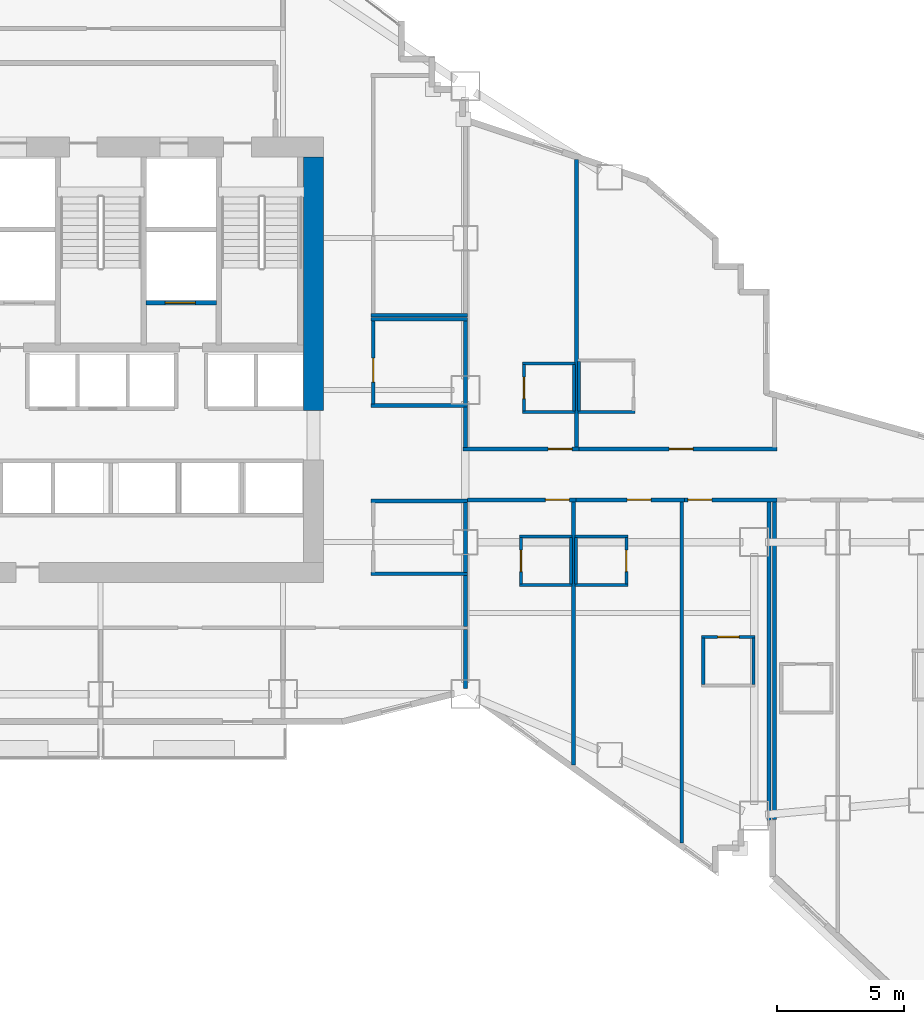
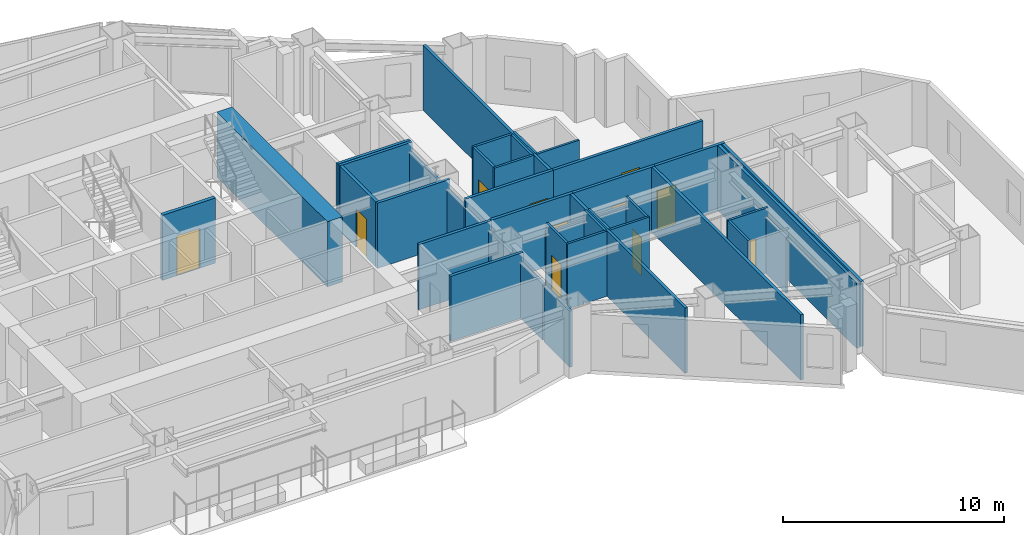
# One storey, part 10 of 16: 40 walls, 11 doors, 11 openings.
"""IFC4 building model written with IfcOpenShell, lengths in metres."""

from ifc_helpers import new_model, si_unit, direction, frame, frame_2d, origin, place, context, subcontext, project, spatial, rectangle, extrude, material, layer, layer_set, type_object, element, fill, save


model = new_model("IFC4")

# Units and contexts
model_context = context("Model", 3, precision=1e-05, world=origin(), true_north=direction((0.0, 1.0)))
body_context = subcontext(model_context, "Body", "Model", "MODEL_VIEW")
ifc_project = project(units=[si_unit("LENGTHUNIT", "METRE"), si_unit("AREAUNIT", "SQUARE_METRE"), si_unit("VOLUMEUNIT", "CUBIC_METRE"), si_unit("PLANEANGLEUNIT", "RADIAN"), si_unit("MASSUNIT", "GRAM", prefix="KILO")], contexts=[model_context])

# Site, building, storey
site_placement = place(None, origin())
site = spatial("IfcSite", under=ifc_project, at=site_placement, CompositionType="ELEMENT")
building_placement = place(site_placement, origin())
building = spatial("IfcBuilding", under=site, at=building_placement, Name="Haolan Belvedere Tower", CompositionType="ELEMENT")
storey_placement = place(building_placement, frame((0.0, 0.0, 62.800048828125)))
storey = spatial("IfcBuildingStorey", under=building, at=storey_placement, Name="L15", CompositionType="ELEMENT", Elevation=62.800048828125)

# Walls
ifc_material_1 = material(Name="Concrete C70/85", Category="concrete")
ifc_layer_1 = layer(ifc_material_1, 0.800048828125, Name="Concrete C70/85")
ifc_layer_set_1 = layer_set([ifc_layer_1], Name="Concrete C70/85")
wall_type_1 = type_object("IfcWallType", Name="WL-CORE-800", PredefinedType="SHEAR", material=ifc_layer_set_1)
wall_1_placement = place(storey_placement, frame((46.800048828125, 32.800048828125, 0.0), z_axis=(0.0, 0.0, 1.0), x_axis=(0.0, 1.0, 0.0)))
element("IfcWall", 1, at=wall_1_placement, inside=storey, type_object=wall_type_1, Name="L15 central core shear wall EN", PredefinedType="SHEAR", context=body_context, shape_type="SweptSolid", body=[
    extrude(rectangle(XDim=10.0, YDim=0.800048828125, at=frame_2d((5.0, 0.0))), origin(), (0.0, 0.0, 1.0), 3.599853515625),
])
ifc_material_2 = material(Name="Double gypsum acoustic stud partition", Category="masonry")
ifc_layer_2 = layer(ifc_material_2, 0.14990234375, Name="Double gypsum acoustic stud partition")
ifc_layer_set_2 = layer_set([ifc_layer_2], Name="Double gypsum acoustic stud partition")
wall_type_2 = type_object("IfcWallType", Name="WL-PART-150", PredefinedType="PARTITIONING", material=ifc_layer_set_2)
for number, where, z_axis, x_axis, name in (
    (2, (49.080078125, 36.39990234375, 0.0), (0.0, 0.0, 1.0), (1.0, 0.0, 0.0), "L15 interior partition IW-L15-AWC-N"),
    (3, (49.080078125, 33.0, 0.0), (0.0, 0.0, 1.0), (1.0, 0.0, 0.0), "L15 interior partition IW-L15-AWC-S"),
):
    element("IfcWall", number, at=place(storey_placement, frame(where, z_axis=z_axis, x_axis=x_axis)), inside=storey, type_object=wall_type_2, Name=name, PredefinedType="PARTITIONING", context=body_context, shape_type="SweptSolid", body=[
        extrude(rectangle(XDim=3.7998046875, YDim=0.14990234375, at=frame_2d((1.89990234375, 0.0))), origin(), (0.0, 0.0, 1.0), 3.599853515625),
    ])

# Wall, opening, door
wall_2_placement = place(storey_placement, frame((49.159912109375, 33.06005859375, 0.0), z_axis=(0.0, 0.0, 1.0), x_axis=(0.0, 1.0, 0.0)))
wall_2 = element("IfcWall", 4, at=wall_2_placement, inside=storey, type_object=wall_type_2, Name="L15 interior partition IW-L15-AWC-W", PredefinedType="PARTITIONING", context=body_context, shape_type="SweptSolid", body=[
    extrude(rectangle(XDim=3.280029296875, YDim=0.14990234375, at=frame_2d((1.64013671875, 0.0))), origin(), (0.0, 0.0, 1.0), 3.599853515625),
])
opening_1_placement = place(wall_2_placement, frame((0.860107421875, 0.0, 0.0)))
opening_1 = element("IfcOpeningElement", 5, at=opening_1_placement, cuts=wall_2, Name="Opening ID-03", PredefinedType="OPENING", context=body_context, shape_type="SweptSolid", body=[
    extrude(rectangle(XDim=0.949951171875, YDim=2.1201171875, at=frame_2d((0.47509765625, 1.06005859375))), frame((0.0, 0.0849609375, 0.0), z_axis=(0.0, -1.0, 0.0), x_axis=(1.0, 0.0, 0.0)), (0.0, 0.0, 1.0), 0.169921875),
])
ifc_material_3 = material(Name="Painted solid-core timber", Category="wood")
door_type_1 = type_object("IfcDoorType", Name="DR-INT-950", OperationType="NOTDEFINED", PredefinedType="DOOR", material=ifc_material_3)
door_1_placement = place(opening_1_placement, origin())
door_1 = element("IfcDoor", 6, at=door_1_placement, inside=storey, type_object=door_type_1, Name="L15 door ID-L15-AWC", OperationType="SINGLE_SWING_RIGHT", OverallHeight=2.1201171875, OverallWidth=0.949951171875, PredefinedType="DOOR", context=body_context, shape_type="SweptSolid", body=[
    extrude(rectangle(XDim=0.949951171875, YDim=2.1201171875, at=frame_2d((0.47509765625, 1.06005859375))), frame((0.0, 0.02490234375, 0.0), z_axis=(0.0, -1.0, 0.0), x_axis=(1.0, 0.0, 0.0)), (0.0, 0.0, 1.0), 0.050048828125),
])
fill(opening_1, door_1)

# Walls
wall_3_placement = place(storey_placement, frame((52.800048828125, 33.06005859375, 0.0), z_axis=(0.0, 0.0, 1.0), x_axis=(0.0, 1.0, 0.0)))
element("IfcWall", 7, at=wall_3_placement, inside=storey, type_object=wall_type_2, Name="L15 interior partition IW-L15-AWC-E", PredefinedType="PARTITIONING", context=body_context, shape_type="SweptSolid", body=[
    extrude(rectangle(XDim=3.280029296875, YDim=0.14990234375, at=frame_2d((1.64013671875, 0.0))), origin(), (0.0, 0.0, 1.0), 3.096923828125),
])
for number, where, z_axis, x_axis, name in (
    (8, (49.080078125, 36.56005859375, 0.0), (0.0, 0.0, 1.0), (1.0, 0.0, 0.0), "L15 interior partition IW-L15-SAL-S"),
    (9, (49.080078125, 29.22998046875, 0.0), (0.0, 0.0, 1.0), (1.0, 0.0, 0.0), "L15 interior partition IW-L15-PKTE-N"),
    (10, (49.080078125, 26.35009765625, 0.0), (0.0, 0.0, 1.0), (1.0, 0.0, 0.0), "L15 interior partition IW-L15-PKTE-S"),
):
    element("IfcWall", number, at=place(storey_placement, frame(where, z_axis=z_axis, x_axis=x_axis)), inside=storey, type_object=wall_type_2, Name=name, PredefinedType="PARTITIONING", context=body_context, shape_type="SweptSolid", body=[
        extrude(rectangle(XDim=3.7998046875, YDim=0.14990234375, at=frame_2d((1.89990234375, 0.0))), origin(), (0.0, 0.0, 1.0), 3.599853515625),
    ])
wall_4_placement = place(storey_placement, frame((52.800048828125, 26.409912109375, 0.0), z_axis=(0.0, 0.0, 1.0), x_axis=(0.0, 1.0, 0.0)))
element("IfcWall", 11, at=wall_4_placement, inside=storey, type_object=wall_type_2, Name="L15 interior partition IW-L15-PKTE-E", PredefinedType="PARTITIONING", context=body_context, shape_type="SweptSolid", body=[
    extrude(rectangle(XDim=2.760009765625, YDim=0.14990234375, at=frame_2d((1.3798828125, 0.0))), origin(), (0.0, 0.0, 1.0), 3.096923828125),
])
wall_5_placement = place(storey_placement, frame((52.800048828125, 21.818603515625, 0.0), z_axis=(0.0, 0.0, 1.0), x_axis=(0.0, 1.0, 0.0)))
element("IfcWall", 12, at=wall_5_placement, inside=storey, type_object=wall_type_2, Name="L15 interior partition IW-L15-KS3-E", PredefinedType="PARTITIONING", context=body_context, shape_type="SweptSolid", body=[
    extrude(rectangle(XDim=2.34130859375, YDim=0.14990234375, at=frame_2d((1.170654296875, 0.0))), origin(), (0.0, 0.0, 1.0), 3.096923828125),
])

# Wall, opening, door
wall_6_placement = place(storey_placement, frame((52.699951171875, 31.280029296875, 0.0), z_axis=(0.0, 0.0, 1.0), x_axis=(1.0, 0.0, 0.0)))
wall_6 = element("IfcWall", 13, at=wall_6_placement, inside=storey, type_object=wall_type_2, Name="L15 interior partition IW-L15-T4N1-S", PredefinedType="PARTITIONING", context=body_context, shape_type="SweptSolid", body=[
    extrude(rectangle(XDim=4.590087890625, YDim=0.14990234375, at=frame_2d((2.294921875, 0.0))), origin(), (0.0, 0.0, 1.0), 3.599853515625),
])
opening_2_placement = place(wall_6_placement, frame((3.361328125, 0.0, 0.0)))
opening_2 = element("IfcOpeningElement", 14, at=opening_2_placement, cuts=wall_6, Name="Opening ID-02", PredefinedType="OPENING", context=body_context, shape_type="SweptSolid", body=[
    extrude(rectangle(XDim=0.949951171875, YDim=2.14990234375, at=frame_2d((0.47509765625, 1.074951171875))), frame((0.0, 0.0849609375, 0.0), z_axis=(0.0, -1.0, 0.0), x_axis=(1.0, 0.0, 0.0)), (0.0, 0.0, 1.0), 0.169921875),
])
ifc_material_4 = material(Name="Acoustic oak veneer fire-rated timber", Category="wood")
door_type_2 = type_object("IfcDoorType", Name="DR-GUEST-950", OperationType="NOTDEFINED", PredefinedType="DOOR", material=ifc_material_4)
door_2_placement = place(opening_2_placement, origin())
door_2 = element("IfcDoor", 15, at=door_2_placement, inside=storey, type_object=door_type_2, Name="L15 door ID-L15-T4N1-ENT", OperationType="SINGLE_SWING_RIGHT", OverallHeight=2.14990234375, OverallWidth=0.949951171875, PredefinedType="DOOR", context=body_context, shape_type="SweptSolid", body=[
    extrude(rectangle(XDim=0.949951171875, YDim=2.14990234375, at=frame_2d((0.47509765625, 1.074951171875))), frame((0.0, 0.02490234375, 0.0), z_axis=(0.0, -1.0, 0.0), x_axis=(1.0, 0.0, 0.0)), (0.0, 0.0, 1.0), 0.050048828125),
])
fill(opening_2, door_2)

# Walls
wall_7_placement = place(storey_placement, frame((52.800048828125, 31.340087890625, 0.0), z_axis=(0.0, 0.0, 1.0), x_axis=(0.0, 1.0, 0.0)))
element("IfcWall", 16, at=wall_7_placement, inside=storey, type_object=wall_type_2, Name="L15 interior partition IW-L15-T4N1-W", PredefinedType="PARTITIONING", context=body_context, shape_type="SweptSolid", body=[
    extrude(rectangle(XDim=1.599853515625, YDim=0.14990234375, at=frame_2d((0.7998046875, 0.0))), origin(), (0.0, 0.0, 1.0), 3.096923828125),
])
wall_8_placement = place(storey_placement, frame((57.18994140625, 31.340087890625, 0.0), z_axis=(0.0, 0.0, 1.0), x_axis=(0.0, 1.0, 0.0)))
element("IfcWall", 17, at=wall_8_placement, inside=storey, type_object=wall_type_2, Name="L15 interior partition IW-L15-T4N1-E", PredefinedType="PARTITIONING", context=body_context, shape_type="SweptSolid", body=[
    extrude(rectangle(XDim=11.359375, YDim=0.14990234375, at=frame_2d((5.6796875, 0.0))), origin(), (0.0, 0.0, 1.0), 3.599853515625),
])

# Wall, opening, door
wall_9_placement = place(storey_placement, frame((57.2919921875, 31.280029296875, 0.0), z_axis=(0.0, 0.0, 1.0), x_axis=(1.0, 0.0, 0.0)))
wall_9 = element("IfcWall", 18, at=wall_9_placement, inside=storey, type_object=wall_type_2, Name="L15 interior partition IW-L15-T4N2-S", PredefinedType="PARTITIONING", context=body_context, shape_type="SweptSolid", body=[
    extrude(rectangle(XDim=7.80810546875, YDim=0.14990234375, at=frame_2d((3.904052734375, 0.0))), origin(), (0.0, 0.0, 1.0), 3.599853515625),
])
opening_3_placement = place(wall_9_placement, frame((3.55126953125, 0.0, 0.0)))
opening_3 = element("IfcOpeningElement", 19, at=opening_3_placement, cuts=wall_9, Name="Opening ID-01", PredefinedType="OPENING", context=body_context, shape_type="SweptSolid", body=[
    extrude(rectangle(XDim=0.949951171875, YDim=2.179931640625, at=frame_2d((0.47509765625, 1.08984375))), frame((0.0, 0.0849609375, 0.0), z_axis=(0.0, -1.0, 0.0), x_axis=(1.0, 0.0, 0.0)), (0.0, 0.0, 1.0), 0.169921875),
])
ifc_material_5 = material(Name="Acoustic walnut veneer fire-rated timber", Category="wood")
door_type_3 = type_object("IfcDoorType", Name="DR-SUITE-950", OperationType="NOTDEFINED", PredefinedType="DOOR", material=ifc_material_5)
door_3_placement = place(opening_3_placement, origin())
door_3 = element("IfcDoor", 20, at=door_3_placement, inside=storey, type_object=door_type_3, Name="L15 door ID-L15-T4N2-ENT", OperationType="SINGLE_SWING_LEFT", OverallHeight=2.179931640625, OverallWidth=0.949951171875, PredefinedType="DOOR", context=body_context, shape_type="SweptSolid", body=[
    extrude(rectangle(XDim=0.949951171875, YDim=2.179931640625, at=frame_2d((0.47509765625, 1.08984375))), frame((0.0, 0.02490234375, 0.0), z_axis=(0.0, -1.0, 0.0), x_axis=(1.0, 0.0, 0.0)), (0.0, 0.0, 1.0), 0.050048828125),
])
fill(opening_3, door_3)

wall_10_placement = place(storey_placement, frame((52.882080078125, 29.27001953125, 0.0), z_axis=(0.0, 0.0, 1.0), x_axis=(1.0, 0.0, 0.0)))
wall_10 = element("IfcWall", 21, at=wall_10_placement, inside=storey, type_object=wall_type_2, Name="L15 interior partition IW-L15-T4S1-N", PredefinedType="PARTITIONING", context=body_context, shape_type="SweptSolid", body=[
    extrude(rectangle(XDim=4.287841796875, YDim=0.14990234375, at=frame_2d((2.14404296875, 0.0))), origin(), (0.0, 0.0, 1.0), 3.599853515625),
])
opening_4_placement = place(wall_10_placement, frame((4.020263671875, 0.0, 0.0), z_axis=(0.0, 0.0, 1.0), x_axis=(-1.0, 0.0, 0.0)))
opening_4 = element("IfcOpeningElement", 22, at=opening_4_placement, cuts=wall_10, Name="Opening ID-02", PredefinedType="OPENING", context=body_context, shape_type="SweptSolid", body=[
    extrude(rectangle(XDim=0.949951171875, YDim=2.14990234375, at=frame_2d((0.47509765625, 1.074951171875))), frame((0.0, 0.0849609375, 0.0), z_axis=(0.0, -1.0, 0.0), x_axis=(1.0, 0.0, 0.0)), (0.0, 0.0, 1.0), 0.169921875),
])
door_4_placement = place(opening_4_placement, origin())
door_4 = element("IfcDoor", 23, at=door_4_placement, inside=storey, type_object=door_type_2, Name="L15 door ID-L15-T4S1-ENT", OperationType="SINGLE_SWING_RIGHT", OverallHeight=2.14990234375, OverallWidth=0.949951171875, PredefinedType="DOOR", context=body_context, shape_type="SweptSolid", body=[
    extrude(rectangle(XDim=0.949951171875, YDim=2.14990234375, at=frame_2d((0.47509765625, 1.074951171875))), frame((0.0, 0.02490234375, 0.0), z_axis=(0.0, -1.0, 0.0), x_axis=(1.0, 0.0, 0.0)), (0.0, 0.0, 1.0), 0.050048828125),
])
fill(opening_4, door_4)

# Walls
wall_11_placement = place(storey_placement, frame((52.800048828125, 24.280029296875, 0.0), z_axis=(0.0, 0.0, 1.0), x_axis=(0.0, 1.0, 0.0)))
element("IfcWall", 24, at=wall_11_placement, inside=storey, type_object=wall_type_2, Name="L15 interior partition IW-L15-T4S1-W", PredefinedType="PARTITIONING", context=body_context, shape_type="SweptSolid", body=[
    extrude(rectangle(XDim=2.010009765625, YDim=0.14990234375, at=frame_2d((1.0048828125, 0.0))), origin(), (0.0, 0.0, 1.0), 3.096923828125),
])
wall_12_placement = place(storey_placement, frame((57.070068359375, 18.802978515625, 0.0), z_axis=(0.0, 0.0, 1.0), x_axis=(0.0, 1.0, 0.0)))
element("IfcWall", 25, at=wall_12_placement, inside=storey, type_object=wall_type_2, Name="L15 interior partition IW-L15-T4S1-E", PredefinedType="PARTITIONING", context=body_context, shape_type="SweptSolid", body=[
    extrude(rectangle(XDim=10.406982421875, YDim=0.14990234375, at=frame_2d((5.20361328125, 0.0))), origin(), (0.0, 0.0, 1.0), 3.599853515625),
])

# Wall, opening, door
wall_13_placement = place(storey_placement, frame((57.172119140625, 29.27001953125, 0.0), z_axis=(0.0, 0.0, 1.0), x_axis=(1.0, 0.0, 0.0)))
wall_13 = element("IfcWall", 26, at=wall_13_placement, inside=storey, type_object=wall_type_2, Name="L15 interior partition IW-L15-T4S2-N", PredefinedType="PARTITIONING", context=body_context, shape_type="SweptSolid", body=[
    extrude(rectangle(XDim=4.267822265625, YDim=0.14990234375, at=frame_2d((2.1337890625, 0.0))), origin(), (0.0, 0.0, 1.0), 3.599853515625),
])
opening_5_placement = place(wall_13_placement, frame((2.95947265625, 0.0, 0.0), z_axis=(0.0, 0.0, 1.0), x_axis=(-1.0, 0.0, 0.0)))
opening_5 = element("IfcOpeningElement", 27, at=opening_5_placement, cuts=wall_13, Name="Opening ID-02", PredefinedType="OPENING", context=body_context, shape_type="SweptSolid", body=[
    extrude(rectangle(XDim=0.949951171875, YDim=2.14990234375, at=frame_2d((0.47509765625, 1.074951171875))), frame((0.0, 0.0849609375, 0.0), z_axis=(0.0, -1.0, 0.0), x_axis=(1.0, 0.0, 0.0)), (0.0, 0.0, 1.0), 0.169921875),
])
door_5_placement = place(opening_5_placement, origin())
door_5 = element("IfcDoor", 28, at=door_5_placement, inside=storey, type_object=door_type_2, Name="L15 door ID-L15-T4S2-ENT", OperationType="SINGLE_SWING_LEFT", OverallHeight=2.14990234375, OverallWidth=0.949951171875, PredefinedType="DOOR", context=body_context, shape_type="SweptSolid", body=[
    extrude(rectangle(XDim=0.949951171875, YDim=2.14990234375, at=frame_2d((0.47509765625, 1.074951171875))), frame((0.0, 0.02490234375, 0.0), z_axis=(0.0, -1.0, 0.0), x_axis=(1.0, 0.0, 0.0)), (0.0, 0.0, 1.0), 0.050048828125),
])
fill(opening_5, door_5)

# Wall
wall_14_placement = place(storey_placement, frame((61.340087890625, 15.728515625, 0.0), z_axis=(0.0, 0.0, 1.0), x_axis=(0.0, 1.0, 0.0)))
element("IfcWall", 29, at=wall_14_placement, inside=storey, type_object=wall_type_2, Name="L15 interior partition IW-L15-T4S2-E", PredefinedType="PARTITIONING", context=body_context, shape_type="SweptSolid", body=[
    extrude(rectangle(XDim=13.4814453125, YDim=0.14990234375, at=frame_2d((6.74072265625, 0.0))), origin(), (0.0, 0.0, 1.0), 3.599853515625),
])

# Wall, opening, door
wall_15_placement = place(storey_placement, frame((61.44189453125, 29.27001953125, 0.0), z_axis=(0.0, 0.0, 1.0), x_axis=(1.0, 0.0, 0.0)))
wall_15 = element("IfcWall", 30, at=wall_15_placement, inside=storey, type_object=wall_type_2, Name="L15 interior partition IW-L15-T4S3-N", PredefinedType="PARTITIONING", context=body_context, shape_type="SweptSolid", body=[
    extrude(rectangle(XDim=3.658203125, YDim=0.14990234375, at=frame_2d((1.8291015625, 0.0))), origin(), (0.0, 0.0, 1.0), 3.599853515625),
])
opening_6_placement = place(wall_15_placement, frame((1.08984375, 0.0, 0.0), z_axis=(0.0, 0.0, 1.0), x_axis=(-1.0, 0.0, 0.0)))
opening_6 = element("IfcOpeningElement", 31, at=opening_6_placement, cuts=wall_15, Name="Opening ID-02", PredefinedType="OPENING", context=body_context, shape_type="SweptSolid", body=[
    extrude(rectangle(XDim=0.949951171875, YDim=2.14990234375, at=frame_2d((0.47509765625, 1.074951171875))), frame((0.0, 0.0849609375, 0.0), z_axis=(0.0, -1.0, 0.0), x_axis=(1.0, 0.0, 0.0)), (0.0, 0.0, 1.0), 0.169921875),
])
door_6_placement = place(opening_6_placement, origin())
door_6 = element("IfcDoor", 32, at=door_6_placement, inside=storey, type_object=door_type_2, Name="L15 door ID-L15-T4S3-ENT", OperationType="SINGLE_SWING_RIGHT", OverallHeight=2.14990234375, OverallWidth=0.949951171875, PredefinedType="DOOR", context=body_context, shape_type="SweptSolid", body=[
    extrude(rectangle(XDim=0.949951171875, YDim=2.14990234375, at=frame_2d((0.47509765625, 1.074951171875))), frame((0.0, 0.02490234375, 0.0), z_axis=(0.0, -1.0, 0.0), x_axis=(1.0, 0.0, 0.0)), (0.0, 0.0, 1.0), 0.050048828125),
])
fill(opening_6, door_6)

# Walls
wall_16_placement = place(storey_placement, frame((65.0, 16.64208984375, 0.0), z_axis=(0.0, 0.0, 1.0), x_axis=(0.0, 1.0, 0.0)))
element("IfcWall", 33, at=wall_16_placement, inside=storey, type_object=wall_type_2, Name="L15 interior partition IW-L15-T4S3-E", PredefinedType="PARTITIONING", context=body_context, shape_type="SweptSolid", body=[
    extrude(rectangle(XDim=12.56787109375, YDim=0.14990234375, at=frame_2d((6.283935546875, 0.0))), origin(), (0.0, 0.0, 1.0), 3.599853515625),
])
wall_17_placement = place(storey_placement, frame((64.780029296875, 16.612060546875, 0.0), z_axis=(0.0, 0.0, 1.0), x_axis=(0.0, 1.0, 0.0)))
element("IfcWall", 34, at=wall_17_placement, inside=storey, type_object=wall_type_2, Name="L15 interior partition IW-L15-T5S1-W", PredefinedType="PARTITIONING", context=body_context, shape_type="SweptSolid", body=[
    extrude(rectangle(XDim=12.597900390625, YDim=0.14990234375, at=frame_2d((6.298828125, 0.0))), origin(), (0.0, 0.0, 1.0), 3.599853515625),
])

# Wall, opening, door
ifc_material_6 = material(Name="Precast concrete C40/50", Category="concrete")
ifc_layer_3 = layer(ifc_material_6, 0.179931640625, Name="Precast concrete C40/50")
ifc_layer_set_3 = layer_set([ifc_layer_3], Name="Precast concrete C40/50")
wall_type_3 = type_object("IfcWallType", Name="WL-SHAFT-180", PredefinedType="SOLIDWALL", material=ifc_layer_set_3)
wall_18_placement = place(storey_placement, frame((40.195068359375, 37.050048828125, 0.0), z_axis=(0.0, 0.0, 1.0), x_axis=(1.0, 0.0, 0.0)))
wall_18 = element("IfcWall", 35, at=wall_18_placement, inside=storey, type_object=wall_type_3, Name="L15 interior partition IW-L15-SV2-S", PredefinedType="SOLIDWALL", context=body_context, shape_type="SweptSolid", body=[
    extrude(rectangle(XDim=2.77001953125, YDim=0.179931640625, at=frame_2d((1.385009765625, 0.0))), origin(), (0.0, 0.0, 1.0), 3.599853515625),
])
opening_7_placement = place(wall_18_placement, frame((1.945068359375, 0.0, 0.0), z_axis=(0.0, 0.0, 1.0), x_axis=(-1.0, 0.0, 0.0)))
opening_7 = element("IfcOpeningElement", 36, at=opening_7_placement, cuts=wall_18, Name="Opening LD-02", PredefinedType="OPENING", context=body_context, shape_type="SweptSolid", body=[
    extrude(rectangle(XDim=1.199951171875, YDim=2.199951171875, at=frame_2d((0.60009765625, 1.10009765625))), frame((0.0, 0.099853515625, 0.0), z_axis=(0.0, -1.0, 0.0), x_axis=(1.0, 0.0, 0.0)), (0.0, 0.0, 1.0), 0.199951171875),
])
ifc_material_7 = material(Name="Brushed champagne stainless steel 316L", Category="steel")
door_type_4 = type_object("IfcDoorType", Name="DR-LIFT-1200", OperationType="SLIDING_TO_RIGHT", PredefinedType="DOOR", material=ifc_material_7)
door_7_placement = place(opening_7_placement, origin())
door_7 = element("IfcDoor", 37, at=door_7_placement, inside=storey, type_object=door_type_4, Name="L15 door ID-L15-LD-SV2", OperationType="SLIDING_TO_RIGHT", OverallHeight=2.199951171875, OverallWidth=1.199951171875, PredefinedType="DOOR", context=body_context, shape_type="SweptSolid", body=[
    extrude(rectangle(XDim=1.199951171875, YDim=2.199951171875, at=frame_2d((0.60009765625, 1.10009765625))), frame((0.0, 0.02490234375, 0.0), z_axis=(0.0, -1.0, 0.0), x_axis=(1.0, 0.0, 0.0)), (0.0, 0.0, 1.0), 0.050048828125),
])
fill(opening_7, door_7)

# Walls
ifc_material_8 = material(Name="Moisture-resistant gypsum tile partition", Category="masonry")
ifc_layer_4 = layer(ifc_material_8, 0.1201171875, Name="Moisture-resistant gypsum tile partition")
ifc_layer_set_4 = layer_set([ifc_layer_4], Name="Moisture-resistant gypsum tile partition")
wall_type_4 = type_object("IfcWallType", Name="WL-WET-120", PredefinedType="PARTITIONING", material=ifc_layer_set_4)
for number, where, z_axis, x_axis, name in (
    (38, (55.050048828125, 34.64990234375, 0.0), (0.0, 0.0, 1.0), (1.0, 0.0, 0.0), "L15 interior partition IW-L15-T4N1-BN"),
    (39, (55.050048828125, 32.72998046875, 0.0), (0.0, 0.0, 1.0), (1.0, 0.0, 0.0), "L15 interior partition IW-L15-T4N1-BS"),
):
    element("IfcWall", number, at=place(storey_placement, frame(where, z_axis=z_axis, x_axis=x_axis)), inside=storey, type_object=wall_type_4, Name=name, PredefinedType="PARTITIONING", context=body_context, shape_type="SweptSolid", body=[
        extrude(rectangle(XDim=2.079833984375, YDim=0.1201171875, at=frame_2d((1.0400390625, 0.0))), origin(), (0.0, 0.0, 1.0), 3.599853515625),
    ])

# Wall, opening, door
wall_19_placement = place(storey_placement, frame((55.110107421875, 32.77490234375, 0.0), z_axis=(0.0, 0.0, 1.0), x_axis=(0.0, 1.0, 0.0)))
wall_19 = element("IfcWall", 40, at=wall_19_placement, inside=storey, type_object=wall_type_4, Name="L15 interior partition IW-L15-T4N1-BW", PredefinedType="PARTITIONING", context=body_context, shape_type="SweptSolid", body=[
    extrude(rectangle(XDim=1.830078125, YDim=0.1201171875, at=frame_2d((0.9150390625, 0.0))), origin(), (0.0, 0.0, 1.0), 3.599853515625),
])
opening_8_placement = place(wall_19_placement, frame((1.340087890625, 0.0, 0.0), z_axis=(0.0, 0.0, 1.0), x_axis=(-1.0, 0.0, 0.0)))
opening_8 = element("IfcOpeningElement", 41, at=opening_8_placement, cuts=wall_19, Name="Opening ID-05", PredefinedType="OPENING", context=body_context, shape_type="SweptSolid", body=[
    extrude(rectangle(XDim=0.85009765625, YDim=2.10009765625, at=frame_2d((0.425048828125, 1.050048828125))), frame((0.0, 0.070068359375, 0.0), z_axis=(0.0, -1.0, 0.0), x_axis=(1.0, 0.0, 0.0)), (0.0, 0.0, 1.0), 0.14013671875),
])
ifc_material_9 = material(Name="Moisture-resistant lacquered timber", Category="wood")
door_type_5 = type_object("IfcDoorType", Name="DR-BATH-850", OperationType="NOTDEFINED", PredefinedType="DOOR", material=ifc_material_9)
door_8_placement = place(opening_8_placement, origin())
door_8 = element("IfcDoor", 42, at=door_8_placement, inside=storey, type_object=door_type_5, Name="L15 door ID-L15-T4N1-BATH", OperationType="SINGLE_SWING_LEFT", OverallHeight=2.10009765625, OverallWidth=0.85009765625, PredefinedType="DOOR", context=body_context, shape_type="SweptSolid", body=[
    extrude(rectangle(XDim=0.85009765625, YDim=2.10009765625, at=frame_2d((0.425048828125, 1.050048828125))), frame((0.0, 0.02490234375, 0.0), z_axis=(0.0, -1.0, 0.0), x_axis=(1.0, 0.0, 0.0)), (0.0, 0.0, 1.0), 0.050048828125),
])
fill(opening_8, door_8)

# Walls
wall_20_placement = place(storey_placement, frame((57.090087890625, 32.77490234375, 0.0), z_axis=(0.0, 0.0, 1.0), x_axis=(0.0, 1.0, 0.0)))
element("IfcWall", 43, at=wall_20_placement, inside=storey, type_object=wall_type_4, Name="L15 interior partition IW-L15-T4N1-BE", PredefinedType="PARTITIONING", context=body_context, shape_type="SweptSolid", body=[
    extrude(rectangle(XDim=1.830078125, YDim=0.1201171875, at=frame_2d((0.9150390625, 0.0))), origin(), (0.0, 0.0, 1.0), 3.599853515625),
])
wall_21_placement = place(storey_placement, frame((57.25, 32.72998046875, 0.0), z_axis=(0.0, 0.0, 1.0), x_axis=(1.0, 0.0, 0.0)))
element("IfcWall", 44, at=wall_21_placement, inside=storey, type_object=wall_type_4, Name="L15 interior partition IW-L15-T4N2-BS", PredefinedType="PARTITIONING", context=body_context, shape_type="SweptSolid", body=[
    extrude(rectangle(XDim=2.25, YDim=0.1201171875, at=frame_2d((1.125, 0.0))), origin(), (0.0, 0.0, 1.0), 3.599853515625),
])
wall_22_placement = place(storey_placement, frame((57.2900390625, 32.77490234375, 0.0), z_axis=(0.0, 0.0, 1.0), x_axis=(0.0, 1.0, 0.0)))
element("IfcWall", 45, at=wall_22_placement, inside=storey, type_object=wall_type_4, Name="L15 interior partition IW-L15-T4N2-BW", PredefinedType="PARTITIONING", context=body_context, shape_type="SweptSolid", body=[
    extrude(rectangle(XDim=1.960205078125, YDim=0.1201171875, at=frame_2d((0.97998046875, 0.0))), origin(), (0.0, 0.0, 1.0), 3.599853515625),
])
wall_23_placement = place(storey_placement, frame((54.929931640625, 27.820068359375, 0.0), z_axis=(0.0, 0.0, 1.0), x_axis=(1.0, 0.0, 0.0)))
element("IfcWall", 46, at=wall_23_placement, inside=storey, type_object=wall_type_4, Name="L15 interior partition IW-L15-T4S1-BN", PredefinedType="PARTITIONING", context=body_context, shape_type="SweptSolid", body=[
    extrude(rectangle(XDim=2.080078125, YDim=0.1201171875, at=frame_2d((1.0400390625, 0.0))), origin(), (0.0, 0.0, 1.0), 3.096923828125),
])
wall_24_placement = place(storey_placement, frame((54.929931640625, 25.89990234375, 0.0), z_axis=(0.0, 0.0, 1.0), x_axis=(1.0, 0.0, 0.0)))
element("IfcWall", 47, at=wall_24_placement, inside=storey, type_object=wall_type_4, Name="L15 interior partition IW-L15-T4S1-BS", PredefinedType="PARTITIONING", context=body_context, shape_type="SweptSolid", body=[
    extrude(rectangle(XDim=2.080078125, YDim=0.1201171875, at=frame_2d((1.0400390625, 0.0))), origin(), (0.0, 0.0, 1.0), 3.599853515625),
])

# Wall, opening, door
wall_25_placement = place(storey_placement, frame((54.989990234375, 25.945068359375, 0.0), z_axis=(0.0, 0.0, 1.0), x_axis=(0.0, 1.0, 0.0)))
wall_25 = element("IfcWall", 48, at=wall_25_placement, inside=storey, type_object=wall_type_4, Name="L15 interior partition IW-L15-T4S1-BW", PredefinedType="PARTITIONING", context=body_context, shape_type="SweptSolid", body=[
    extrude(rectangle(XDim=1.829833984375, YDim=0.1201171875, at=frame_2d((0.9150390625, 0.0))), origin(), (0.0, 0.0, 1.0), 3.599853515625),
])
opening_9_placement = place(wall_25_placement, frame((1.340087890625, 0.0, 0.0), z_axis=(0.0, 0.0, 1.0), x_axis=(-1.0, 0.0, 0.0)))
opening_9 = element("IfcOpeningElement", 49, at=opening_9_placement, cuts=wall_25, Name="Opening ID-05", PredefinedType="OPENING", context=body_context, shape_type="SweptSolid", body=[
    extrude(rectangle(XDim=0.85009765625, YDim=2.10009765625, at=frame_2d((0.425048828125, 1.050048828125))), frame((0.0, 0.070068359375, 0.0), z_axis=(0.0, -1.0, 0.0), x_axis=(1.0, 0.0, 0.0)), (0.0, 0.0, 1.0), 0.14013671875),
])
door_9_placement = place(opening_9_placement, origin())
door_9 = element("IfcDoor", 50, at=door_9_placement, inside=storey, type_object=door_type_5, Name="L15 door ID-L15-T4S1-BATH", OperationType="SINGLE_SWING_LEFT", OverallHeight=2.10009765625, OverallWidth=0.85009765625, PredefinedType="DOOR", context=body_context, shape_type="SweptSolid", body=[
    extrude(rectangle(XDim=0.85009765625, YDim=2.10009765625, at=frame_2d((0.425048828125, 1.050048828125))), frame((0.0, 0.02490234375, 0.0), z_axis=(0.0, -1.0, 0.0), x_axis=(1.0, 0.0, 0.0)), (0.0, 0.0, 1.0), 0.050048828125),
])
fill(opening_9, door_9)

# Walls
wall_26_placement = place(storey_placement, frame((56.969970703125, 25.945068359375, 0.0), z_axis=(0.0, 0.0, 1.0), x_axis=(0.0, 1.0, 0.0)))
element("IfcWall", 51, at=wall_26_placement, inside=storey, type_object=wall_type_4, Name="L15 interior partition IW-L15-T4S1-BE", PredefinedType="PARTITIONING", context=body_context, shape_type="SweptSolid", body=[
    extrude(rectangle(XDim=1.829833984375, YDim=0.1201171875, at=frame_2d((0.9150390625, 0.0))), origin(), (0.0, 0.0, 1.0), 3.599853515625),
])
wall_27_placement = place(storey_placement, frame((57.1298828125, 27.820068359375, 0.0), z_axis=(0.0, 0.0, 1.0), x_axis=(1.0, 0.0, 0.0)))
element("IfcWall", 52, at=wall_27_placement, inside=storey, type_object=wall_type_4, Name="L15 interior partition IW-L15-T4S2-BN", PredefinedType="PARTITIONING", context=body_context, shape_type="SweptSolid", body=[
    extrude(rectangle(XDim=2.080078125, YDim=0.1201171875, at=frame_2d((1.0400390625, 0.0))), origin(), (0.0, 0.0, 1.0), 3.096923828125),
])
wall_28_placement = place(storey_placement, frame((57.1298828125, 25.89990234375, 0.0), z_axis=(0.0, 0.0, 1.0), x_axis=(1.0, 0.0, 0.0)))
element("IfcWall", 53, at=wall_28_placement, inside=storey, type_object=wall_type_4, Name="L15 interior partition IW-L15-T4S2-BS", PredefinedType="PARTITIONING", context=body_context, shape_type="SweptSolid", body=[
    extrude(rectangle(XDim=2.080078125, YDim=0.1201171875, at=frame_2d((1.0400390625, 0.0))), origin(), (0.0, 0.0, 1.0), 3.599853515625),
])
wall_29_placement = place(storey_placement, frame((57.169921875, 25.945068359375, 0.0), z_axis=(0.0, 0.0, 1.0), x_axis=(0.0, 1.0, 0.0)))
element("IfcWall", 54, at=wall_29_placement, inside=storey, type_object=wall_type_4, Name="L15 interior partition IW-L15-T4S2-BW", PredefinedType="PARTITIONING", context=body_context, shape_type="SweptSolid", body=[
    extrude(rectangle(XDim=1.829833984375, YDim=0.1201171875, at=frame_2d((0.9150390625, 0.0))), origin(), (0.0, 0.0, 1.0), 3.599853515625),
])

# Wall, opening, door
wall_30_placement = place(storey_placement, frame((59.14990234375, 25.945068359375, 0.0), z_axis=(0.0, 0.0, 1.0), x_axis=(0.0, 1.0, 0.0)))
wall_30 = element("IfcWall", 55, at=wall_30_placement, inside=storey, type_object=wall_type_4, Name="L15 interior partition IW-L15-T4S2-BE", PredefinedType="PARTITIONING", context=body_context, shape_type="SweptSolid", body=[
    extrude(rectangle(XDim=1.829833984375, YDim=0.1201171875, at=frame_2d((0.9150390625, 0.0))), origin(), (0.0, 0.0, 1.0), 3.599853515625),
])
opening_10_placement = place(wall_30_placement, frame((0.489990234375, 0.0, 0.0)))
opening_10 = element("IfcOpeningElement", 56, at=opening_10_placement, cuts=wall_30, Name="Opening ID-05", PredefinedType="OPENING", context=body_context, shape_type="SweptSolid", body=[
    extrude(rectangle(XDim=0.85009765625, YDim=2.10009765625, at=frame_2d((0.425048828125, 1.050048828125))), frame((0.0, 0.070068359375, 0.0), z_axis=(0.0, -1.0, 0.0), x_axis=(1.0, 0.0, 0.0)), (0.0, 0.0, 1.0), 0.14013671875),
])
door_10_placement = place(opening_10_placement, origin())
door_10 = element("IfcDoor", 57, at=door_10_placement, inside=storey, type_object=door_type_5, Name="L15 door ID-L15-T4S2-BATH", OperationType="SINGLE_SWING_RIGHT", OverallHeight=2.10009765625, OverallWidth=0.85009765625, PredefinedType="DOOR", context=body_context, shape_type="SweptSolid", body=[
    extrude(rectangle(XDim=0.85009765625, YDim=2.10009765625, at=frame_2d((0.425048828125, 1.050048828125))), frame((0.0, 0.02490234375, 0.0), z_axis=(0.0, -1.0, 0.0), x_axis=(1.0, 0.0, 0.0)), (0.0, 0.0, 1.0), 0.050048828125),
])
fill(opening_10, door_10)

wall_31_placement = place(storey_placement, frame((62.1279296875, 23.860107421875, 0.0), z_axis=(0.0, 0.0, 1.0), x_axis=(1.0, 0.0, 0.0)))
wall_31 = element("IfcWall", 58, at=wall_31_placement, inside=storey, type_object=wall_type_4, Name="L15 interior partition IW-L15-T4S3-BN", PredefinedType="PARTITIONING", context=body_context, shape_type="SweptSolid", body=[
    extrude(rectangle(XDim=2.10009765625, YDim=0.1201171875, at=frame_2d((1.050048828125, 0.0))), origin(), (0.0, 0.0, 1.0), 3.599853515625),
])
opening_11_placement = place(wall_31_placement, frame((1.47509765625, 0.0, 0.0), z_axis=(0.0, 0.0, 1.0), x_axis=(-1.0, 0.0, 0.0)))
opening_11 = element("IfcOpeningElement", 59, at=opening_11_placement, cuts=wall_31, Name="Opening ID-05", PredefinedType="OPENING", context=body_context, shape_type="SweptSolid", body=[
    extrude(rectangle(XDim=0.85009765625, YDim=2.10009765625, at=frame_2d((0.425048828125, 1.050048828125))), frame((0.0, 0.070068359375, 0.0), z_axis=(0.0, -1.0, 0.0), x_axis=(1.0, 0.0, 0.0)), (0.0, 0.0, 1.0), 0.14013671875),
])
door_11_placement = place(opening_11_placement, origin())
door_11 = element("IfcDoor", 60, at=door_11_placement, inside=storey, type_object=door_type_5, Name="L15 door ID-L15-T4S3-BATH", OperationType="SINGLE_SWING_LEFT", OverallHeight=2.10009765625, OverallWidth=0.85009765625, PredefinedType="DOOR", context=body_context, shape_type="SweptSolid", body=[
    extrude(rectangle(XDim=0.85009765625, YDim=2.10009765625, at=frame_2d((0.425048828125, 1.050048828125))), frame((0.0, 0.02490234375, 0.0), z_axis=(0.0, -1.0, 0.0), x_axis=(1.0, 0.0, 0.0)), (0.0, 0.0, 1.0), 0.050048828125),
])
fill(opening_11, door_11)

# Walls
wall_32_placement = place(storey_placement, frame((62.18798828125, 21.985107421875, 0.0), z_axis=(0.0, 0.0, 1.0), x_axis=(0.0, 1.0, 0.0)))
element("IfcWall", 61, at=wall_32_placement, inside=storey, type_object=wall_type_4, Name="L15 interior partition IW-L15-T4S3-BW", PredefinedType="PARTITIONING", context=body_context, shape_type="SweptSolid", body=[
    extrude(rectangle(XDim=1.829833984375, YDim=0.1201171875, at=frame_2d((0.9150390625, 0.0))), origin(), (0.0, 0.0, 1.0), 3.599853515625),
])
wall_33_placement = place(storey_placement, frame((64.16796875, 21.985107421875, 0.0), z_axis=(0.0, 0.0, 1.0), x_axis=(0.0, 1.0, 0.0)))
element("IfcWall", 62, at=wall_33_placement, inside=storey, type_object=wall_type_4, Name="L15 interior partition IW-L15-T4S3-BE", PredefinedType="PARTITIONING", context=body_context, shape_type="SweptSolid", body=[
    extrude(rectangle(XDim=1.829833984375, YDim=0.1201171875, at=frame_2d((0.9150390625, 0.0))), origin(), (0.0, 0.0, 1.0), 3.096923828125),
])

save(model, "model.ifc")
